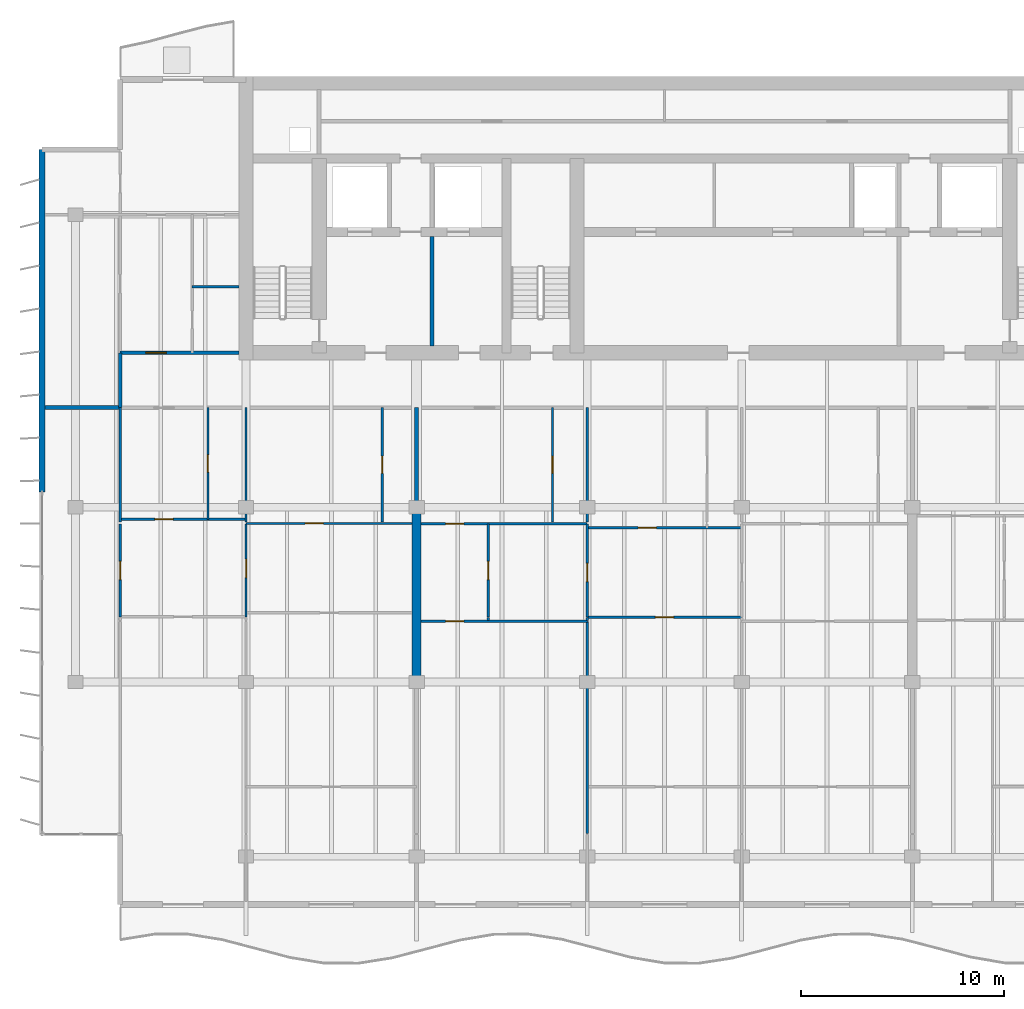
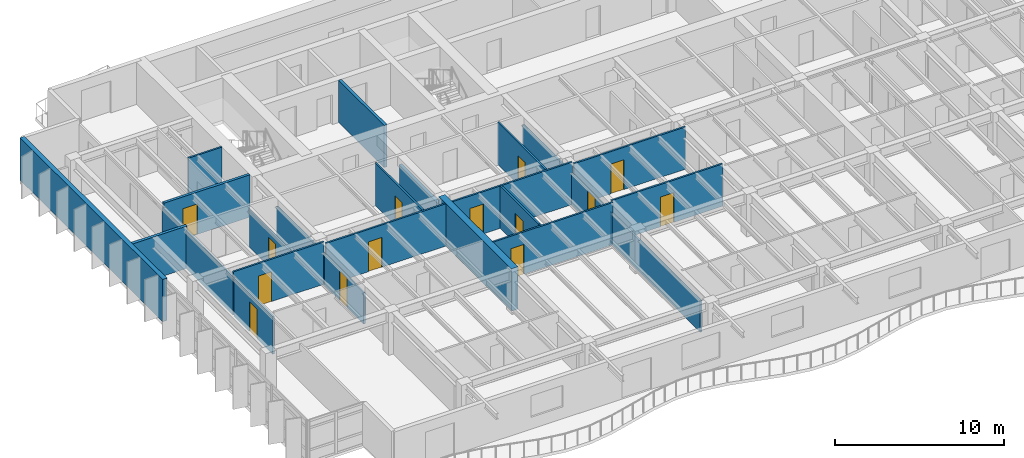
# One storey, part 8 of 17: 27 walls, 14 doors, 14 openings.
"""IFC4 building model written with IfcOpenShell, lengths in metres."""

from ifc_helpers import new_model, si_unit, direction, frame, frame_2d, origin, place, context, subcontext, project, spatial, rectangle, extrude, material, layer, layer_set, type_object, element, fill, save


model = new_model("IFC4")

# Units and contexts
model_context = context("Model", 3, precision=1e-05, world=origin(), true_north=direction((0.0, 1.0)))
body_context = subcontext(model_context, "Body", "Model", "MODEL_VIEW")
ifc_project = project(units=[si_unit("LENGTHUNIT", "METRE"), si_unit("AREAUNIT", "SQUARE_METRE"), si_unit("VOLUMEUNIT", "CUBIC_METRE"), si_unit("PLANEANGLEUNIT", "RADIAN"), si_unit("MASSUNIT", "GRAM", prefix="KILO")], contexts=[model_context])

# Site, building, storey
site_placement = place(None, origin())
site = spatial("IfcSite", under=ifc_project, at=site_placement, CompositionType="ELEMENT")
building_placement = place(site_placement, origin())
building = spatial("IfcBuilding", under=site, at=building_placement, Name="Caelmar Bay Residences", CompositionType="ELEMENT")
storey_placement = place(building_placement, frame((0.0, 0.0, 259.5)))
storey = spatial("IfcBuildingStorey", under=building, at=storey_placement, Name="L73", CompositionType="ELEMENT", Elevation=259.5)

# Walls
ifc_material_1 = material(Name="Concrete f'c 55 MPa (8,000 psi)", Category="concrete")
ifc_layer_1 = layer(ifc_material_1, 0.449951171875)
ifc_layer_set_1 = layer_set([ifc_layer_1], Name="Concrete f'c 55 MPa (8,000 psi)")
wall_type_1 = type_object("IfcWallType", Name="SW-XSLB-450", PredefinedType="SHEAR", material=ifc_layer_set_1)
wall_1_placement = place(storey_placement, frame((26.699951171875, 20.800048828125, 0.0), z_axis=(0.0, 0.0, 1.0), x_axis=(0.0, 1.0, 0.0)))
element("IfcWall", 1, at=wall_1_placement, inside=storey, type_object=wall_type_1, Name="L73 Transverse Cross-Slab Shear Wall W5", PredefinedType="SHEAR", context=body_context, shape_type="SweptSolid", body=[
    extrude(rectangle(XDim=8.599853515625, YDim=0.449951171875, at=frame_2d((4.2998046875, 0.0))), origin(), (0.0, 0.0, 1.0), 3.050048828125),
])
ifc_material_2 = material(Name="Double-stud acoustic fire-rated gypsum partition 180 mm")
ifc_layer_2 = layer(ifc_material_2, 0.179931640625)
ifc_layer_set_2 = layer_set([ifc_layer_2], Name="Double-stud acoustic fire-rated gypsum partition 180 mm")
wall_type_2 = type_object("IfcWallType", Name="W-COR-200", PredefinedType="PARTITIONING", material=ifc_layer_set_2)
wall_2_placement = place(storey_placement, frame((12.10009765625, 34.304931640625, 0.0), z_axis=(0.0, 0.0, 1.0), x_axis=(0.0, 1.0, 0.0)))
element("IfcWall", 2, at=wall_2_placement, inside=storey, type_object=wall_type_2, Name="L73 Partition Wall V005", PredefinedType="PARTITIONING", context=body_context, shape_type="SweptSolid", body=[
    extrude(rectangle(XDim=2.695068359375, YDim=0.179931640625, at=frame_2d((1.34765625, 0.0))), origin(), (0.0, 0.0, 1.0), 2.72509765625),
])

# Wall, opening, door
wall_3_placement = place(storey_placement, frame((12.10009765625, 37.0, 0.0), z_axis=(0.0, 0.0, 1.0), x_axis=(1.0, 0.0, 0.0)))
wall_3 = element("IfcWall", 3, at=wall_3_placement, inside=storey, type_object=wall_type_2, Name="L73 Partition Wall H089", PredefinedType="PARTITIONING", context=body_context, shape_type="SweptSolid", body=[
    extrude(rectangle(XDim=5.844970703125, YDim=0.179931640625, at=frame_2d((2.92236328125, 0.0))), origin(), (0.0, 0.0, 1.0), 3.050048828125),
])
opening_1_placement = place(wall_3_placement, frame((1.27490234375, 0.0, 0.0)))
opening_1 = element("IfcOpeningElement", 4, at=opening_1_placement, cuts=wall_3, Name="Opening D-L73-158", PredefinedType="OPENING", context=body_context, shape_type="SweptSolid", body=[
    extrude(rectangle(XDim=1.0, YDim=2.199951171875, at=frame_2d((0.5, 1.10009765625))), frame((0.0, 0.099853515625, 0.0), z_axis=(0.0, -1.0, 0.0), x_axis=(1.0, 0.0, 0.0)), (0.0, 0.0, 1.0), 0.199951171875),
])
ifc_material_3 = material(Name="Fire-rated steel and walnut architectural door assembly", Category="steel")
ifc_layer_3 = layer(ifc_material_3, 0.050048828125)
ifc_layer_set_3 = layer_set([ifc_layer_3], Name="Fire-rated steel and walnut architectural door assembly")
door_type_1 = type_object("IfcDoorType", Name="D-UNIT-1000", OperationType="NOTDEFINED", PredefinedType="DOOR", material=ifc_layer_set_3)
door_1_placement = place(opening_1_placement, origin())
door_1 = element("IfcDoor", 5, at=door_1_placement, inside=storey, type_object=door_type_1, Name="L73 Residence WA Kitchen Door", OperationType="SINGLE_SWING_LEFT", OverallHeight=2.199951171875, OverallWidth=1.0, PredefinedType="DOOR", context=body_context, shape_type="SweptSolid", body=[
    extrude(rectangle(XDim=1.0, YDim=2.199951171875, at=frame_2d((0.5, 1.10009765625))), frame((0.0, 0.02490234375, 0.0), z_axis=(0.0, -1.0, 0.0), x_axis=(1.0, 0.0, 0.0)), (0.0, 0.0, 1.0), 0.050048828125),
])
fill(opening_1, door_1)

# Walls
ifc_material_4 = material(Name="Precast concrete f'c 40 MPa (6,000 psi)", Category="concrete")
ifc_layer_4 = layer(ifc_material_4, 0.300048828125)
ifc_layer_set_4 = layer_set([ifc_layer_4], Name="Precast concrete f'c 40 MPa (6,000 psi)")
wall_type_3 = type_object("IfcWallType", Name="W-EXT-300", PredefinedType="STANDARD", material=ifc_layer_set_4)
wall_4_placement = place(storey_placement, frame((8.25, 30.14990234375, 0.0), z_axis=(0.0, 0.0, 1.0), x_axis=(0.0, 1.0, 0.0)))
element("IfcWall", 6, at=wall_4_placement, inside=storey, type_object=wall_type_3, Name="L73 West Rear Exterior Wall", PredefinedType="STANDARD", context=body_context, shape_type="SweptSolid", body=[
    extrude(rectangle(XDim=16.85009765625, YDim=0.300048828125, at=frame_2d((8.425048828125, 0.0))), origin(), (0.0, 0.0, 1.0), 3.050048828125),
])
ifc_material_5 = material(Name="Fire-rated masonry and gypsum shaftliner assembly 200 mm", Category="masonry")
ifc_layer_5 = layer(ifc_material_5, 0.199951171875)
ifc_layer_set_5 = layer_set([ifc_layer_5], Name="Fire-rated masonry and gypsum shaftliner assembly 200 mm")
wall_type_4 = type_object("IfcWallType", Name="W-FSAE-200", PredefinedType="PARTITIONING", material=ifc_layer_set_5)
wall_5_placement = place(storey_placement, frame((27.449951171875, 37.344970703125, 0.0), z_axis=(0.0, 0.0, 1.0), x_axis=(0.0, 1.0, 0.0)))
element("IfcWall", 7, at=wall_5_placement, inside=storey, type_object=wall_type_4, Name="L73 Partition Wall V020", PredefinedType="PARTITIONING", context=body_context, shape_type="SweptSolid", body=[
    extrude(rectangle(XDim=5.385009765625, YDim=0.199951171875, at=frame_2d((2.6923828125, 0.0))), origin(), (0.0, 0.0, 1.0), 3.050048828125),
])

# Wall, opening, door
ifc_material_6 = material(Name="Acoustic metal-stud gypsum partition 120 mm")
ifc_layer_6 = layer(ifc_material_6, 0.1201171875)
ifc_layer_set_6 = layer_set([ifc_layer_6], Name="Acoustic metal-stud gypsum partition 120 mm")
wall_type_5 = type_object("IfcWallType", Name="W-PRT-120", PredefinedType="PARTITIONING", material=ifc_layer_set_6)
wall_6_placement = place(storey_placement, frame((12.10009765625, 24.0, 0.0), z_axis=(0.0, 0.0, 1.0), x_axis=(0.0, 1.0, 0.0)))
wall_6 = element("IfcWall", 8, at=wall_6_placement, inside=storey, type_object=wall_type_5, Name="L73 Partition Wall V003", PredefinedType="PARTITIONING", context=body_context, shape_type="SweptSolid", body=[
    extrude(rectangle(XDim=4.580078125, YDim=0.1201171875, at=frame_2d((2.2900390625, 0.0))), origin(), (0.0, 0.0, 1.0), 2.72509765625),
])
opening_2_placement = place(wall_6_placement, frame((1.840087890625, 0.0, 0.0)))
opening_2 = element("IfcOpeningElement", 9, at=opening_2_placement, cuts=wall_6, Name="Opening D-L73-156", PredefinedType="OPENING", context=body_context, shape_type="SweptSolid", body=[
    extrude(rectangle(XDim=0.89990234375, YDim=2.14990234375, at=frame_2d((0.449951171875, 1.074951171875))), frame((0.0, 0.070068359375, 0.0), z_axis=(0.0, -1.0, 0.0), x_axis=(1.0, 0.0, 0.0)), (0.0, 0.0, 1.0), 0.14013671875),
])
ifc_material_7 = material(Name="Solid walnut timber interior door leaf and frame", Category="wood")
ifc_layer_7 = layer(ifc_material_7, 0.050048828125)
ifc_layer_set_7 = layer_set([ifc_layer_7], Name="Solid walnut timber interior door leaf and frame")
door_type_2 = type_object("IfcDoorType", Name="D-ROOM-900", OperationType="NOTDEFINED", PredefinedType="DOOR", material=ifc_layer_set_7)
door_2_placement = place(opening_2_placement, origin())
door_2 = element("IfcDoor", 10, at=door_2_placement, inside=storey, type_object=door_type_2, Name="L73 Residence 01 Penthouse West Salon Door", OperationType="SINGLE_SWING_LEFT", OverallHeight=2.14990234375, OverallWidth=0.89990234375, PredefinedType="DOOR", context=body_context, shape_type="SweptSolid", body=[
    extrude(rectangle(XDim=0.89990234375, YDim=2.14990234375, at=frame_2d((0.449951171875, 1.074951171875))), frame((0.0, 0.02490234375, 0.0), z_axis=(0.0, -1.0, 0.0), x_axis=(1.0, 0.0, 0.0)), (0.0, 0.0, 1.0), 0.050048828125),
])
fill(opening_2, door_2)

# Wall
wall_7_placement = place(storey_placement, frame((12.10009765625, 28.679931640625, 0.0), z_axis=(0.0, 0.0, 1.0), x_axis=(0.0, 1.0, 0.0)))
element("IfcWall", 11, at=wall_7_placement, inside=storey, type_object=wall_type_5, Name="L73 Partition Wall V004", PredefinedType="PARTITIONING", context=body_context, shape_type="SweptSolid", body=[
    extrude(rectangle(XDim=5.6201171875, YDim=0.1201171875, at=frame_2d((2.81005859375, 0.0))), origin(), (0.0, 0.0, 1.0), 2.72509765625),
])

# Wall, opening, door
wall_8_placement = place(storey_placement, frame((16.427001953125, 28.800048828125, 0.0), z_axis=(0.0, 0.0, 1.0), x_axis=(0.0, 1.0, 0.0)))
wall_8 = element("IfcWall", 12, at=wall_8_placement, inside=storey, type_object=wall_type_5, Name="L73 Partition Wall V008", PredefinedType="PARTITIONING", context=body_context, shape_type="SweptSolid", body=[
    extrude(rectangle(XDim=5.5, YDim=0.1201171875, at=frame_2d((2.75, 0.0))), origin(), (0.0, 0.0, 1.0), 2.62890625),
])
opening_3_placement = place(wall_8_placement, frame((2.324951171875, 0.0, 0.0)))
opening_3 = element("IfcOpeningElement", 13, at=opening_3_placement, cuts=wall_8, Name="Opening D-L73-121", PredefinedType="OPENING", context=body_context, shape_type="SweptSolid", body=[
    extrude(rectangle(XDim=0.85009765625, YDim=2.10009765625, at=frame_2d((0.425048828125, 1.050048828125))), frame((0.0, 0.070068359375, 0.0), z_axis=(0.0, -1.0, 0.0), x_axis=(1.0, 0.0, 0.0)), (0.0, 0.0, 1.0), 0.14013671875),
])
ifc_layer_8 = layer(ifc_material_7, 0.050048828125)
ifc_layer_set_8 = layer_set([ifc_layer_8], Name="Solid walnut timber interior door leaf and frame")
door_type_3 = type_object("IfcDoorType", Name="D-BATH-850", OperationType="NOTDEFINED", PredefinedType="DOOR", material=ifc_layer_set_8)
door_3_placement = place(opening_3_placement, origin())
door_3 = element("IfcDoor", 14, at=door_3_placement, inside=storey, type_object=door_type_3, Name="L73 Residence 01 Guest Bathroom Door", OperationType="SINGLE_SWING_RIGHT", OverallHeight=2.10009765625, OverallWidth=0.85009765625, PredefinedType="DOOR", context=body_context, shape_type="SweptSolid", body=[
    extrude(rectangle(XDim=0.85009765625, YDim=2.10009765625, at=frame_2d((0.425048828125, 1.050048828125))), frame((0.0, 0.02490234375, 0.0), z_axis=(0.0, -1.0, 0.0), x_axis=(1.0, 0.0, 0.0)), (0.0, 0.0, 1.0), 0.050048828125),
])
fill(opening_3, door_3)

wall_9_placement = place(storey_placement, frame((18.300048828125, 24.0, 0.0), z_axis=(0.0, 0.0, 1.0), x_axis=(0.0, 1.0, 0.0)))
wall_9 = element("IfcWall", 15, at=wall_9_placement, inside=storey, type_object=wall_type_5, Name="L73 Partition Wall V012", PredefinedType="PARTITIONING", context=body_context, shape_type="SweptSolid", body=[
    extrude(rectangle(XDim=4.580078125, YDim=0.1201171875, at=frame_2d((2.2900390625, 0.0))), origin(), (0.0, 0.0, 1.0), 2.262939453125),
])
opening_4_placement = place(wall_9_placement, frame((1.93994140625, 0.0, 0.0)))
opening_4 = element("IfcOpeningElement", 16, at=opening_4_placement, cuts=wall_9, Name="Opening D-L73-124", PredefinedType="OPENING", context=body_context, shape_type="SweptSolid", body=[
    extrude(rectangle(XDim=0.89990234375, YDim=2.14990234375, at=frame_2d((0.449951171875, 1.074951171875))), frame((0.0, 0.070068359375, 0.0), z_axis=(0.0, -1.0, 0.0), x_axis=(1.0, 0.0, 0.0)), (0.0, 0.0, 1.0), 0.14013671875),
])
door_4_placement = place(opening_4_placement, origin())
door_4 = element("IfcDoor", 17, at=door_4_placement, inside=storey, type_object=door_type_2, Name="L73 Residence 01 Family Room 1 Door", OperationType="SINGLE_SWING_LEFT", OverallHeight=2.14990234375, OverallWidth=0.89990234375, PredefinedType="DOOR", context=body_context, shape_type="SweptSolid", body=[
    extrude(rectangle(XDim=0.89990234375, YDim=2.14990234375, at=frame_2d((0.449951171875, 1.074951171875))), frame((0.0, 0.02490234375, 0.0), z_axis=(0.0, -1.0, 0.0), x_axis=(1.0, 0.0, 0.0)), (0.0, 0.0, 1.0), 0.050048828125),
])
fill(opening_4, door_4)

# Wall
wall_10_placement = place(storey_placement, frame((18.300048828125, 28.679931640625, 0.0), z_axis=(0.0, 0.0, 1.0), x_axis=(0.0, 1.0, 0.0)))
element("IfcWall", 18, at=wall_10_placement, inside=storey, type_object=wall_type_5, Name="L73 Partition Wall V013", PredefinedType="PARTITIONING", context=body_context, shape_type="SweptSolid", body=[
    extrude(rectangle(XDim=5.6201171875, YDim=0.1201171875, at=frame_2d((2.81005859375, 0.0))), origin(), (0.0, 0.0, 1.0), 2.262939453125),
])

# Wall, opening, door
wall_11_placement = place(storey_placement, frame((25.01611328125, 28.679931640625, 0.0), z_axis=(0.0, 0.0, 1.0), x_axis=(0.0, 1.0, 0.0)))
wall_11 = element("IfcWall", 19, at=wall_11_placement, inside=storey, type_object=wall_type_5, Name="L73 Partition Wall V015", PredefinedType="PARTITIONING", context=body_context, shape_type="SweptSolid", body=[
    extrude(rectangle(XDim=5.6201171875, YDim=0.1201171875, at=frame_2d((2.81005859375, 0.0))), origin(), (0.0, 0.0, 1.0), 3.050048828125),
])
opening_5_placement = place(wall_11_placement, frame((2.385009765625, 0.0, 0.0)))
opening_5 = element("IfcOpeningElement", 20, at=opening_5_placement, cuts=wall_11, Name="Opening D-L73-126", PredefinedType="OPENING", context=body_context, shape_type="SweptSolid", body=[
    extrude(rectangle(XDim=0.85009765625, YDim=2.10009765625, at=frame_2d((0.425048828125, 1.050048828125))), frame((0.0, 0.070068359375, 0.0), z_axis=(0.0, -1.0, 0.0), x_axis=(1.0, 0.0, 0.0)), (0.0, 0.0, 1.0), 0.14013671875),
])
door_5_placement = place(opening_5_placement, origin())
door_5 = element("IfcDoor", 21, at=door_5_placement, inside=storey, type_object=door_type_3, Name="L73 Residence 01 En-Suite Bathroom 1 Door", OperationType="SINGLE_SWING_LEFT", OverallHeight=2.10009765625, OverallWidth=0.85009765625, PredefinedType="DOOR", context=body_context, shape_type="SweptSolid", body=[
    extrude(rectangle(XDim=0.85009765625, YDim=2.10009765625, at=frame_2d((0.425048828125, 1.050048828125))), frame((0.0, 0.02490234375, 0.0), z_axis=(0.0, -1.0, 0.0), x_axis=(1.0, 0.0, 0.0)), (0.0, 0.0, 1.0), 0.050048828125),
])
fill(opening_5, door_5)

# Wall
wall_12_placement = place(storey_placement, frame((30.22802734375, 23.830078125, 0.0), z_axis=(0.0, 0.0, 1.0), x_axis=(0.0, 1.0, 0.0)))
element("IfcWall", 22, at=wall_12_placement, inside=storey, type_object=wall_type_5, Name="L73 Partition Wall V022", PredefinedType="PARTITIONING", context=body_context, shape_type="SweptSolid", body=[
    extrude(rectangle(XDim=0.14990234375, YDim=0.1201171875, at=frame_2d((0.074951171875, 0.0))), origin(), (0.0, 0.0, 1.0), 3.050048828125),
])

# Wall, opening, door
wall_13_placement = place(storey_placement, frame((30.22802734375, 24.0, 0.0), z_axis=(0.0, 0.0, 1.0), x_axis=(0.0, 1.0, 0.0)))
wall_13 = element("IfcWall", 23, at=wall_13_placement, inside=storey, type_object=wall_type_5, Name="L73 Partition Wall V023", PredefinedType="PARTITIONING", context=body_context, shape_type="SweptSolid", body=[
    extrude(rectangle(XDim=4.580078125, YDim=0.1201171875, at=frame_2d((2.2900390625, 0.0))), origin(), (0.0, 0.0, 1.0), 3.050048828125),
])
opening_6_placement = place(wall_13_placement, frame((1.840087890625, 0.0, 0.0)))
opening_6 = element("IfcOpeningElement", 24, at=opening_6_placement, cuts=wall_13, Name="Opening D-L73-132", PredefinedType="OPENING", context=body_context, shape_type="SweptSolid", body=[
    extrude(rectangle(XDim=0.89990234375, YDim=2.14990234375, at=frame_2d((0.449951171875, 1.074951171875))), frame((0.0, 0.070068359375, 0.0), z_axis=(0.0, -1.0, 0.0), x_axis=(1.0, 0.0, 0.0)), (0.0, 0.0, 1.0), 0.14013671875),
])
door_6_placement = place(opening_6_placement, origin())
door_6 = element("IfcDoor", 25, at=door_6_placement, inside=storey, type_object=door_type_2, Name="L73 Residence 02 Kitchen Door", OperationType="SINGLE_SWING_LEFT", OverallHeight=2.14990234375, OverallWidth=0.89990234375, PredefinedType="DOOR", context=body_context, shape_type="SweptSolid", body=[
    extrude(rectangle(XDim=0.89990234375, YDim=2.14990234375, at=frame_2d((0.449951171875, 1.074951171875))), frame((0.0, 0.02490234375, 0.0), z_axis=(0.0, -1.0, 0.0), x_axis=(1.0, 0.0, 0.0)), (0.0, 0.0, 1.0), 0.050048828125),
])
fill(opening_6, door_6)

wall_14_placement = place(storey_placement, frame((33.386962890625, 28.679931640625, 0.0), z_axis=(0.0, 0.0, 1.0), x_axis=(0.0, 1.0, 0.0)))
wall_14 = element("IfcWall", 26, at=wall_14_placement, inside=storey, type_object=wall_type_5, Name="L73 Partition Wall V024", PredefinedType="PARTITIONING", context=body_context, shape_type="SweptSolid", body=[
    extrude(rectangle(XDim=5.6201171875, YDim=0.1201171875, at=frame_2d((2.81005859375, 0.0))), origin(), (0.0, 0.0, 1.0), 3.050048828125),
])
opening_7_placement = place(wall_14_placement, frame((2.385009765625, 0.0, 0.0)))
opening_7 = element("IfcOpeningElement", 27, at=opening_7_placement, cuts=wall_14, Name="Opening D-L73-130", PredefinedType="OPENING", context=body_context, shape_type="SweptSolid", body=[
    extrude(rectangle(XDim=0.85009765625, YDim=2.10009765625, at=frame_2d((0.425048828125, 1.050048828125))), frame((0.0, 0.070068359375, 0.0), z_axis=(0.0, -1.0, 0.0), x_axis=(1.0, 0.0, 0.0)), (0.0, 0.0, 1.0), 0.14013671875),
])
door_7_placement = place(opening_7_placement, origin())
door_7 = element("IfcDoor", 28, at=door_7_placement, inside=storey, type_object=door_type_3, Name="L73 Residence 02 Guest Bathroom Door", OperationType="SINGLE_SWING_LEFT", OverallHeight=2.10009765625, OverallWidth=0.85009765625, PredefinedType="DOOR", context=body_context, shape_type="SweptSolid", body=[
    extrude(rectangle(XDim=0.85009765625, YDim=2.10009765625, at=frame_2d((0.425048828125, 1.050048828125))), frame((0.0, 0.02490234375, 0.0), z_axis=(0.0, -1.0, 0.0), x_axis=(1.0, 0.0, 0.0)), (0.0, 0.0, 1.0), 0.050048828125),
])
fill(opening_7, door_7)

# Walls
wall_15_placement = place(storey_placement, frame((35.10009765625, 13.340087890625, 0.0), z_axis=(0.0, 0.0, 1.0), x_axis=(0.0, 1.0, 0.0)))
element("IfcWall", 29, at=wall_15_placement, inside=storey, type_object=wall_type_5, Name="L73 Partition Wall V026", PredefinedType="PARTITIONING", context=body_context, shape_type="SweptSolid", body=[
    extrude(rectangle(XDim=10.43994140625, YDim=0.1201171875, at=frame_2d((5.219970703125, 0.0))), origin(), (0.0, 0.0, 1.0), 2.262939453125),
])
wall_16_placement = place(storey_placement, frame((35.10009765625, 23.830078125, 0.0), z_axis=(0.0, 0.0, 1.0), x_axis=(0.0, 1.0, 0.0)))
element("IfcWall", 30, at=wall_16_placement, inside=storey, type_object=wall_type_5, Name="L73 Partition Wall V027", PredefinedType="PARTITIONING", context=body_context, shape_type="SweptSolid", body=[
    extrude(rectangle(XDim=0.14990234375, YDim=0.1201171875, at=frame_2d((0.074951171875, 0.0))), origin(), (0.0, 0.0, 1.0), 2.262939453125),
])

# Wall, opening, door
wall_17_placement = place(storey_placement, frame((35.10009765625, 24.0, 0.0), z_axis=(0.0, 0.0, 1.0), x_axis=(0.0, 1.0, 0.0)))
wall_17 = element("IfcWall", 31, at=wall_17_placement, inside=storey, type_object=wall_type_5, Name="L73 Partition Wall V028", PredefinedType="PARTITIONING", context=body_context, shape_type="SweptSolid", body=[
    extrude(rectangle(XDim=4.580078125, YDim=0.1201171875, at=frame_2d((2.2900390625, 0.0))), origin(), (0.0, 0.0, 1.0), 2.262939453125),
])
opening_8_placement = place(wall_17_placement, frame((1.739990234375, 0.0, 0.0)))
opening_8 = element("IfcOpeningElement", 32, at=opening_8_placement, cuts=wall_17, Name="Opening D-L73-134", PredefinedType="OPENING", context=body_context, shape_type="SweptSolid", body=[
    extrude(rectangle(XDim=0.89990234375, YDim=2.14990234375, at=frame_2d((0.449951171875, 1.074951171875))), frame((0.0, 0.070068359375, 0.0), z_axis=(0.0, -1.0, 0.0), x_axis=(1.0, 0.0, 0.0)), (0.0, 0.0, 1.0), 0.14013671875),
])
door_8_placement = place(opening_8_placement, origin())
door_8 = element("IfcDoor", 33, at=door_8_placement, inside=storey, type_object=door_type_2, Name="L73 Residence 02 Family Room 1 Door", OperationType="SINGLE_SWING_LEFT", OverallHeight=2.14990234375, OverallWidth=0.89990234375, PredefinedType="DOOR", context=body_context, shape_type="SweptSolid", body=[
    extrude(rectangle(XDim=0.89990234375, YDim=2.14990234375, at=frame_2d((0.449951171875, 1.074951171875))), frame((0.0, 0.02490234375, 0.0), z_axis=(0.0, -1.0, 0.0), x_axis=(1.0, 0.0, 0.0)), (0.0, 0.0, 1.0), 0.050048828125),
])
fill(opening_8, door_8)

# Wall
wall_18_placement = place(storey_placement, frame((35.10009765625, 28.679931640625, 0.0), z_axis=(0.0, 0.0, 1.0), x_axis=(0.0, 1.0, 0.0)))
element("IfcWall", 34, at=wall_18_placement, inside=storey, type_object=wall_type_5, Name="L73 Partition Wall V029", PredefinedType="PARTITIONING", context=body_context, shape_type="SweptSolid", body=[
    extrude(rectangle(XDim=5.6201171875, YDim=0.1201171875, at=frame_2d((2.81005859375, 0.0))), origin(), (0.0, 0.0, 1.0), 2.262939453125),
])

# Wall, opening, door
wall_19_placement = place(storey_placement, frame((26.919921875, 23.780029296875, 0.0), z_axis=(0.0, 0.0, 1.0), x_axis=(1.0, 0.0, 0.0)))
wall_19 = element("IfcWall", 35, at=wall_19_placement, inside=storey, type_object=wall_type_5, Name="L73 Partition Wall H073", PredefinedType="PARTITIONING", context=body_context, shape_type="SweptSolid", body=[
    extrude(rectangle(XDim=8.18017578125, YDim=0.1201171875, at=frame_2d((4.090087890625, 0.0))), origin(), (0.0, 0.0, 1.0), 3.050048828125),
])
opening_9_placement = place(wall_19_placement, frame((1.2041015625, 0.0, 0.0)))
opening_9 = element("IfcOpeningElement", 36, at=opening_9_placement, cuts=wall_19, Name="Opening D-L73-133", PredefinedType="OPENING", context=body_context, shape_type="SweptSolid", body=[
    extrude(rectangle(XDim=0.89990234375, YDim=2.14990234375, at=frame_2d((0.449951171875, 1.074951171875))), frame((0.0, 0.070068359375, 0.0), z_axis=(0.0, -1.0, 0.0), x_axis=(1.0, 0.0, 0.0)), (0.0, 0.0, 1.0), 0.14013671875),
])
door_9_placement = place(opening_9_placement, origin())
door_9 = element("IfcDoor", 37, at=door_9_placement, inside=storey, type_object=door_type_2, Name="L73 Residence 02 Penthouse Living Salon Door", OperationType="SINGLE_SWING_RIGHT", OverallHeight=2.14990234375, OverallWidth=0.89990234375, PredefinedType="DOOR", context=body_context, shape_type="SweptSolid", body=[
    extrude(rectangle(XDim=0.89990234375, YDim=2.14990234375, at=frame_2d((0.449951171875, 1.074951171875))), frame((0.0, 0.02490234375, 0.0), z_axis=(0.0, -1.0, 0.0), x_axis=(1.0, 0.0, 0.0)), (0.0, 0.0, 1.0), 0.050048828125),
])
fill(opening_9, door_9)

wall_20_placement = place(storey_placement, frame((35.10498046875, 23.97998046875, 0.0), z_axis=(0.0, 0.0, 1.0), x_axis=(1.0, 0.0, 0.0)))
wall_20 = element("IfcWall", 38, at=wall_20_placement, inside=storey, type_object=wall_type_5, Name="L73 Partition Wall H076", PredefinedType="PARTITIONING", context=body_context, shape_type="SweptSolid", body=[
    extrude(rectangle(XDim=7.590087890625, YDim=0.1201171875, at=frame_2d((3.794921875, 0.0))), origin(), (0.0, 0.0, 1.0), 3.050048828125),
])
opening_10_placement = place(wall_20_placement, frame((3.344970703125, 0.0, 0.0)))
opening_10 = element("IfcOpeningElement", 39, at=opening_10_placement, cuts=wall_20, Name="Opening D-L73-137", PredefinedType="OPENING", context=body_context, shape_type="SweptSolid", body=[
    extrude(rectangle(XDim=0.89990234375, YDim=2.14990234375, at=frame_2d((0.449951171875, 1.074951171875))), frame((0.0, 0.070068359375, 0.0), z_axis=(0.0, -1.0, 0.0), x_axis=(1.0, 0.0, 0.0)), (0.0, 0.0, 1.0), 0.14013671875),
])
door_10_placement = place(opening_10_placement, origin())
door_10 = element("IfcDoor", 40, at=door_10_placement, inside=storey, type_object=door_type_2, Name="L73 Residence 02 Penthouse Sitting Salon 1 Door", OperationType="SINGLE_SWING_RIGHT", OverallHeight=2.14990234375, OverallWidth=0.89990234375, PredefinedType="DOOR", context=body_context, shape_type="SweptSolid", body=[
    extrude(rectangle(XDim=0.89990234375, YDim=2.14990234375, at=frame_2d((0.449951171875, 1.074951171875))), frame((0.0, 0.02490234375, 0.0), z_axis=(0.0, -1.0, 0.0), x_axis=(1.0, 0.0, 0.0)), (0.0, 0.0, 1.0), 0.050048828125),
])
fill(opening_10, door_10)

wall_21_placement = place(storey_placement, frame((35.10009765625, 28.3798828125, 0.0), z_axis=(0.0, 0.0, 1.0), x_axis=(1.0, 0.0, 0.0)))
wall_21 = element("IfcWall", 41, at=wall_21_placement, inside=storey, type_object=wall_type_5, Name="L73 Partition Wall H079", PredefinedType="PARTITIONING", context=body_context, shape_type="SweptSolid", body=[
    extrude(rectangle(XDim=7.599853515625, YDim=0.1201171875, at=frame_2d((3.7998046875, 0.0))), origin(), (0.0, 0.0, 1.0), 3.050048828125),
])
opening_11_placement = place(wall_21_placement, frame((2.4970703125, 0.0, 0.0)))
opening_11 = element("IfcOpeningElement", 42, at=opening_11_placement, cuts=wall_21, Name="Opening D-L73-135", PredefinedType="OPENING", context=body_context, shape_type="SweptSolid", body=[
    extrude(rectangle(XDim=0.89990234375, YDim=2.14990234375, at=frame_2d((0.449951171875, 1.074951171875))), frame((0.0, 0.070068359375, 0.0), z_axis=(0.0, -1.0, 0.0), x_axis=(1.0, 0.0, 0.0)), (0.0, 0.0, 1.0), 0.14013671875),
])
door_11_placement = place(opening_11_placement, origin())
door_11 = element("IfcDoor", 43, at=door_11_placement, inside=storey, type_object=door_type_2, Name="L73 Residence 02 Sitting Room 1 Door", OperationType="SINGLE_SWING_RIGHT", OverallHeight=2.14990234375, OverallWidth=0.89990234375, PredefinedType="DOOR", context=body_context, shape_type="SweptSolid", body=[
    extrude(rectangle(XDim=0.89990234375, YDim=2.14990234375, at=frame_2d((0.449951171875, 1.074951171875))), frame((0.0, 0.02490234375, 0.0), z_axis=(0.0, -1.0, 0.0), x_axis=(1.0, 0.0, 0.0)), (0.0, 0.0, 1.0), 0.050048828125),
])
fill(opening_11, door_11)

wall_22_placement = place(storey_placement, frame((26.919921875, 28.580078125, 0.0), z_axis=(0.0, 0.0, 1.0), x_axis=(1.0, 0.0, 0.0)))
wall_22 = element("IfcWall", 44, at=wall_22_placement, inside=storey, type_object=wall_type_5, Name="L73 Partition Wall H080", PredefinedType="PARTITIONING", context=body_context, shape_type="SweptSolid", body=[
    extrude(rectangle(XDim=8.175048828125, YDim=0.1201171875, at=frame_2d((4.08740234375, 0.0))), origin(), (0.0, 0.0, 1.0), 3.050048828125),
])
opening_12_placement = place(wall_22_placement, frame((1.2041015625, 0.0, 0.0)))
opening_12 = element("IfcOpeningElement", 45, at=opening_12_placement, cuts=wall_22, Name="Opening D-L73-131", PredefinedType="OPENING", context=body_context, shape_type="SweptSolid", body=[
    extrude(rectangle(XDim=0.89990234375, YDim=2.14990234375, at=frame_2d((0.449951171875, 1.074951171875))), frame((0.0, 0.070068359375, 0.0), z_axis=(0.0, -1.0, 0.0), x_axis=(1.0, 0.0, 0.0)), (0.0, 0.0, 1.0), 0.14013671875),
])
door_12_placement = place(opening_12_placement, origin())
door_12 = element("IfcDoor", 46, at=door_12_placement, inside=storey, type_object=door_type_2, Name="L73 Residence 02 Dining Room Door", OperationType="SINGLE_SWING_RIGHT", OverallHeight=2.14990234375, OverallWidth=0.89990234375, PredefinedType="DOOR", context=body_context, shape_type="SweptSolid", body=[
    extrude(rectangle(XDim=0.89990234375, YDim=2.14990234375, at=frame_2d((0.449951171875, 1.074951171875))), frame((0.0, 0.02490234375, 0.0), z_axis=(0.0, -1.0, 0.0), x_axis=(1.0, 0.0, 0.0)), (0.0, 0.0, 1.0), 0.050048828125),
])
fill(opening_12, door_12)

wall_23_placement = place(storey_placement, frame((18.300048828125, 28.60009765625, 0.0), z_axis=(0.0, 0.0, 1.0), x_axis=(1.0, 0.0, 0.0)))
wall_23 = element("IfcWall", 47, at=wall_23_placement, inside=storey, type_object=wall_type_5, Name="L73 Partition Wall H082", PredefinedType="PARTITIONING", context=body_context, shape_type="SweptSolid", body=[
    extrude(rectangle(XDim=8.179931640625, YDim=0.1201171875, at=frame_2d((4.08984375, 0.0))), origin(), (0.0, 0.0, 1.0), 3.050048828125),
])
opening_13_placement = place(wall_23_placement, frame((2.907958984375, 0.0, 0.0)))
opening_13 = element("IfcOpeningElement", 48, at=opening_13_placement, cuts=wall_23, Name="Opening D-L73-125", PredefinedType="OPENING", context=body_context, shape_type="SweptSolid", body=[
    extrude(rectangle(XDim=0.89990234375, YDim=2.14990234375, at=frame_2d((0.449951171875, 1.074951171875))), frame((0.0, 0.070068359375, 0.0), z_axis=(0.0, -1.0, 0.0), x_axis=(1.0, 0.0, 0.0)), (0.0, 0.0, 1.0), 0.14013671875),
])
door_13_placement = place(opening_13_placement, origin())
door_13 = element("IfcDoor", 49, at=door_13_placement, inside=storey, type_object=door_type_2, Name="L73 Residence 01 Sitting Room 1 Door", OperationType="SINGLE_SWING_RIGHT", OverallHeight=2.14990234375, OverallWidth=0.89990234375, PredefinedType="DOOR", context=body_context, shape_type="SweptSolid", body=[
    extrude(rectangle(XDim=0.89990234375, YDim=2.14990234375, at=frame_2d((0.449951171875, 1.074951171875))), frame((0.0, 0.02490234375, 0.0), z_axis=(0.0, -1.0, 0.0), x_axis=(1.0, 0.0, 0.0)), (0.0, 0.0, 1.0), 0.050048828125),
])
fill(opening_13, door_13)

wall_24_placement = place(storey_placement, frame((12.10009765625, 28.800048828125, 0.0), z_axis=(0.0, 0.0, 1.0), x_axis=(1.0, 0.0, 0.0)))
wall_24 = element("IfcWall", 50, at=wall_24_placement, inside=storey, type_object=wall_type_5, Name="L73 Partition Wall H084", PredefinedType="PARTITIONING", context=body_context, shape_type="SweptSolid", body=[
    extrude(rectangle(XDim=6.19482421875, YDim=0.1201171875, at=frame_2d((3.097412109375, 0.0))), origin(), (0.0, 0.0, 1.0), 3.050048828125),
])
opening_14_placement = place(wall_24_placement, frame((1.71337890625, 0.0, 0.0)))
opening_14 = element("IfcOpeningElement", 51, at=opening_14_placement, cuts=wall_24, Name="Opening D-L73-122", PredefinedType="OPENING", context=body_context, shape_type="SweptSolid", body=[
    extrude(rectangle(XDim=0.89990234375, YDim=2.14990234375, at=frame_2d((0.449951171875, 1.074951171875))), frame((0.0, 0.070068359375, 0.0), z_axis=(0.0, -1.0, 0.0), x_axis=(1.0, 0.0, 0.0)), (0.0, 0.0, 1.0), 0.14013671875),
])
door_14_placement = place(opening_14_placement, origin())
door_14 = element("IfcDoor", 52, at=door_14_placement, inside=storey, type_object=door_type_2, Name="L73 Residence 01 Kitchen Door", OperationType="SINGLE_SWING_LEFT", OverallHeight=2.14990234375, OverallWidth=0.89990234375, PredefinedType="DOOR", context=body_context, shape_type="SweptSolid", body=[
    extrude(rectangle(XDim=0.89990234375, YDim=2.14990234375, at=frame_2d((0.449951171875, 1.074951171875))), frame((0.0, 0.02490234375, 0.0), z_axis=(0.0, -1.0, 0.0), x_axis=(1.0, 0.0, 0.0)), (0.0, 0.0, 1.0), 0.050048828125),
])
fill(opening_14, door_14)

# Walls
wall_25_placement = place(storey_placement, frame((15.64990234375, 40.263916015625, 0.0), z_axis=(0.0, 0.0, 1.0), x_axis=(1.0, 0.0, 0.0)))
element("IfcWall", 53, at=wall_25_placement, inside=storey, type_object=wall_type_5, Name="L73 Partition Wall H091", PredefinedType="PARTITIONING", context=body_context, shape_type="SweptSolid", body=[
    extrude(rectangle(XDim=2.30517578125, YDim=0.1201171875, at=frame_2d((1.152587890625, 0.0))), origin(), (0.0, 0.0, 1.0), 3.050048828125),
])
ifc_material_8 = material(Name="Acoustic twin-stud fire-rated inter-tenancy partition 200 mm")
ifc_layer_9 = layer(ifc_material_8, 0.199951171875)
ifc_layer_set_9 = layer_set([ifc_layer_9], Name="Acoustic twin-stud fire-rated inter-tenancy partition 200 mm")
wall_type_6 = type_object("IfcWallType", Name="W-PTY-200", PredefinedType="PARTITIONING", material=ifc_layer_set_9)
wall_26_placement = place(storey_placement, frame((26.699951171875, 29.405029296875, 0.0), z_axis=(0.0, 0.0, 1.0), x_axis=(0.0, 1.0, 0.0)))
element("IfcWall", 54, at=wall_26_placement, inside=storey, type_object=wall_type_6, Name="L73 Partition Wall V019", PredefinedType="PARTITIONING", context=body_context, shape_type="SweptSolid", body=[
    extrude(rectangle(XDim=4.89501953125, YDim=0.199951171875, at=frame_2d((2.447509765625, 0.0))), origin(), (0.0, 0.0, 1.0), 2.3349609375),
])
wall_27_placement = place(storey_placement, frame((8.39501953125, 34.300048828125, 0.0), z_axis=(0.0, 0.0, 1.0), x_axis=(1.0, 0.0, 0.0)))
element("IfcWall", 55, at=wall_27_placement, inside=storey, type_object=wall_type_6, Name="L73 Partition Wall H086", PredefinedType="PARTITIONING", context=body_context, shape_type="SweptSolid", body=[
    extrude(rectangle(XDim=3.705078125, YDim=0.199951171875, at=frame_2d((1.8525390625, 0.0))), origin(), (0.0, 0.0, 1.0), 3.050048828125),
])

save(model, "model.ifc")
